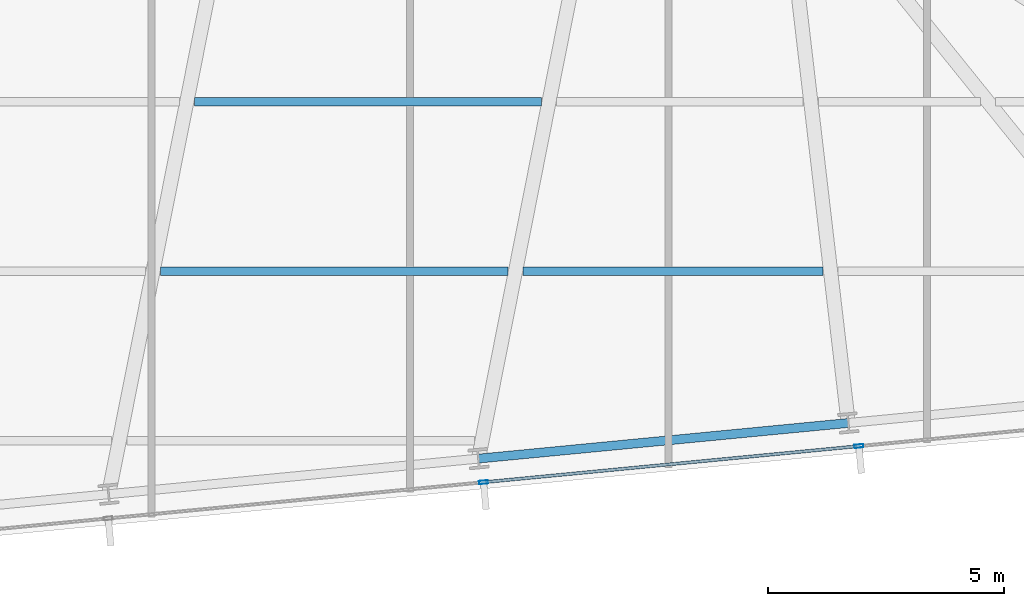
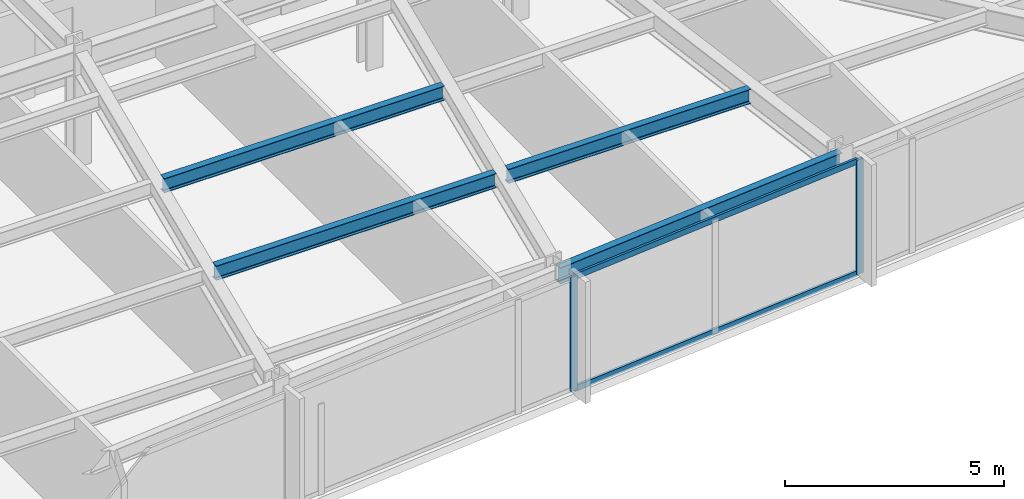
# One storey, part 10 of 32: 4 beams, 4 members, 1 element without a shape of its own.
"""IFC4 building model written with IfcOpenShell, lengths in metres."""

import ifcopenshell
import ifcopenshell.guid

model = None  # the IFC model being written
_history = None  # IfcOwnerHistory: only IFC2X3 demands one
_inside = {}  # id of a spatial element -> (the spatial element, [elements in it])
_under = {}  # id of a project, library or spatial element -> (it, [spatial elements below it])
_declared = {}  # id of a project -> (the project, [libraries it declares])
_typed = {}  # id of a type object -> (the type object, [elements of that type])
_made_of = {}  # id of a material, layer set ... -> (it, [elements and type objects made of it])


def new_model(schema):
    """Start an empty IFC model of exactly this schema.

    Asked for "IFC4X3", IfcOpenShell would pick the latest addendum, in which some entities
    have other attributes; the version numbers below select the first issue.
    IFC2X3 requires an IfcOwnerHistory on every rooted entity: one is made here for all.
    """
    global model, _history
    if schema == "IFC4X3":
        model = ifcopenshell.file(schema_version=(4, 3, 0, 0))
    else:
        model = ifcopenshell.file(schema=schema)
    _inside.clear()
    _under.clear()
    _declared.clear()
    _typed.clear()
    _made_of.clear()
    _history = None
    if model.schema == "IFC2X3":
        org = make("IfcOrganization", Name="unknown")
        user = make(
            "IfcPersonAndOrganization",
            ThePerson=make("IfcPerson", FamilyName="unknown"),
            TheOrganization=org,
        )
        app = make(
            "IfcApplication",
            ApplicationDeveloper=org,
            Version="unknown",
            ApplicationFullName="unknown",
            ApplicationIdentifier="unknown",
        )
        _history = make(
            "IfcOwnerHistory",
            OwningUser=user,
            OwningApplication=app,
            ChangeAction="ADDED",
            CreationDate=0,
        )
    return model


def make(cls, **values):
    """One entity of the class cls with the attributes given. An attribute that is None is left unset."""
    return model.create_entity(
        cls, **{name: value for name, value in values.items() if value is not None}
    )


def rooted(cls, **values):
    """An entity with a GlobalId (a new one), such as an element, a storey or a relation."""
    return make(cls, GlobalId=ifcopenshell.guid.new(), OwnerHistory=_history, **values)


def si_unit(unit_type, name, prefix=None):
    """IfcSIUnit, for example si_unit("LENGTHUNIT", "METRE", prefix="MILLI")."""
    return make("IfcSIUnit", UnitType=unit_type, Prefix=prefix, Name=name)


def assignment(units):
    """IfcUnitAssignment: the units of a project."""
    return None if units is None else make("IfcUnitAssignment", Units=units)


def point(xyz):
    """IfcCartesianPoint."""
    return None if xyz is None else make("IfcCartesianPoint", Coordinates=xyz)


def direction(xyz):
    """IfcDirection."""
    return None if xyz is None else make("IfcDirection", DirectionRatios=xyz)


def frame(location, z_axis=None, x_axis=None):
    """IfcAxis2Placement3D, a coordinate frame: its origin and axes. An axis left out is left unset."""
    return make(
        "IfcAxis2Placement3D",
        Location=point(location),
        Axis=direction(z_axis),
        RefDirection=direction(x_axis),
    )


def frame_2d(location, x_axis=None):
    """IfcAxis2Placement2D, a coordinate frame in the plane: its origin and x axis."""
    return make(
        "IfcAxis2Placement2D", Location=point(location), RefDirection=direction(x_axis)
    )


def origin():
    """The frame at (0, 0, 0) with its axes left unset."""
    return frame((0.0, 0.0, 0.0))


def origin_2d():
    """The frame at (0, 0) in the plane with its x axis left unset."""
    return frame_2d((0.0, 0.0))


def place(relative_to, where):
    """IfcLocalPlacement: puts the frame where relative to a parent placement (None: the world)."""
    return make(
        "IfcLocalPlacement", PlacementRelTo=relative_to, RelativePlacement=where
    )


def context(
    kind, dimensions, precision=None, world=None, true_north=None, identifier=None
):
    """IfcGeometricRepresentationContext, for example the 3D "Model" context."""
    return make(
        "IfcGeometricRepresentationContext",
        ContextIdentifier=identifier,
        ContextType=kind,
        CoordinateSpaceDimension=dimensions,
        Precision=precision,
        WorldCoordinateSystem=world,
        TrueNorth=true_north,
    )


def subcontext(parent, identifier, kind, view, scale=None):
    """IfcGeometricRepresentationSubContext, for example "Body" below "Model"."""
    return make(
        "IfcGeometricRepresentationSubContext",
        ContextIdentifier=identifier,
        ContextType=kind,
        ParentContext=parent,
        TargetScale=scale,
        TargetView=view,
    )


def project(units=None, contexts=None):
    """IfcProject with its units and contexts."""
    return rooted(
        "IfcProject",
        Name="project",
        RepresentationContexts=contexts,
        UnitsInContext=assignment(units),
    )


def spatial(cls, under=None, at=None, **own):
    """A site, building, storey or space (cls), placed at a placement, below another one or the project."""
    s = rooted(cls, ObjectPlacement=at, **own)
    if under is not None:
        _under.setdefault(under.id(), (under, []))[1].append(s)
    return s


def profile(cls, at=None, kind="AREA", **sizes):
    """A parametric profile (cls). Its sizes go by their IFC names, for example OverallWidth=200.0."""
    return make(cls, ProfileType=kind, Position=at, **sizes)


def hollow_rectangle(**sizes):
    """IfcRectangleHollowProfileDef."""
    return profile("IfcRectangleHollowProfileDef", **sizes)


def i_section(**sizes):
    """IfcIShapeProfileDef."""
    return profile("IfcIShapeProfileDef", **sizes)


def extrude(swept, where, along, depth):
    """IfcExtrudedAreaSolid: the profile swept, set in the frame where, extruded along a direction by depth."""
    return make(
        "IfcExtrudedAreaSolid",
        SweptArea=swept,
        Position=where,
        ExtrudedDirection=direction(along),
        Depth=depth,
    )


def shape(context_of_items, identifier, shape_type, items):
    """IfcShapeRepresentation: the items that make up one representation, for example the "Body"."""
    return make(
        "IfcShapeRepresentation",
        ContextOfItems=context_of_items,
        RepresentationIdentifier=identifier,
        RepresentationType=shape_type,
        Items=items,
    )


def material(Name=None, Category=None):
    """IfcMaterial."""
    return make("IfcMaterial", Name=Name, Category=Category)


def material_profile(
    of_material, cross_section, Name=None, Category=None, Priority=None
):
    """IfcMaterialProfile: a cross section and its material."""
    return make(
        "IfcMaterialProfile",
        Name=Name,
        Material=of_material,
        Profile=cross_section,
        Priority=Priority,
        Category=Category,
    )


def profile_set(profiles, Name=None, composite=None):
    """IfcMaterialProfileSet."""
    return make(
        "IfcMaterialProfileSet",
        Name=Name,
        MaterialProfiles=profiles,
        CompositeProfile=composite,
    )


def made_of(thing, what):
    """Note that an element or type object is made of a material, layer set ...; save() writes the relation."""
    if what is not None:
        _made_of.setdefault(what.id(), (what, []))[1].append(thing)
    return thing


def type_object(cls, material=None, **own):
    """A type object (cls), such as IfcWallType, which elements share."""
    return made_of(rooted(cls, **own), material)


def element(
    cls,
    number,
    at=None,
    inside=None,
    cuts=None,
    type_object=None,
    material=None,
    context=None,
    identifier="Body",
    shape_type=None,
    held_by="IfcProductDefinitionShape",
    body=None,
    shapes=None,
    **own,
):
    """One element of the class cls, such as IfcWall. Its Tag is "e" and its number.

    at: its placement. inside: the storey or other place that contains it. cuts: it is an
    opening in that element (IfcRelVoidsElement). A single representation is given by context,
    identifier, shape_type and body (its items); several are given by shapes. held_by: the class
    of the entity that holds the representations. save() writes the other relations.
    """
    e = rooted(cls, Tag="e%d" % number, ObjectPlacement=at, **own)
    if body is not None:
        shapes = [shape(context, identifier, shape_type, body)]
    if shapes is not None:
        e.Representation = make(held_by, Representations=shapes)
    if inside is not None:
        _inside.setdefault(inside.id(), (inside, []))[1].append(e)
    if cuts is not None:
        rooted(
            "IfcRelVoidsElement", RelatingBuildingElement=cuts, RelatedOpeningElement=e
        )
    if type_object is not None:
        _typed.setdefault(type_object.id(), (type_object, []))[1].append(e)
    return made_of(e, material)


def aggregate(whole, parts):
    """IfcRelAggregates: a whole, such as a stair, and the parts it consists of."""
    return rooted("IfcRelAggregates", RelatingObject=whole, RelatedObjects=parts)


def save(model, path):
    """Write the relations noted so far, then the file.

    IfcRelAggregates (storeys below a building ...), IfcRelContainedInSpatialStructure (elements
    in a storey), IfcRelDefinesByType, IfcRelAssociatesMaterial and IfcRelDeclares: one each for
    every whole, place, type object, material and project.
    """
    for whole, parts in _under.values():
        aggregate(whole, parts)
    for where, things in _inside.values():
        rooted(
            "IfcRelContainedInSpatialStructure",
            RelatedElements=things,
            RelatingStructure=where,
        )
    for kind, things in _typed.values():
        rooted("IfcRelDefinesByType", RelatedObjects=things, RelatingType=kind)
    for what, things in _made_of.values():
        rooted("IfcRelAssociatesMaterial", RelatedObjects=things, RelatingMaterial=what)
    for by, libraries in _declared.values():
        rooted("IfcRelDeclares", RelatingContext=by, RelatedDefinitions=libraries)
    model.write(path)


model = new_model("IFC4")

# Units and contexts
model_context = context("Model", 3, precision=1e-05, world=origin(), true_north=direction((0.0, 1.0)))
body_context = subcontext(model_context, "Body", "Model", "MODEL_VIEW")
ifc_project = project(units=[si_unit("LENGTHUNIT", "METRE"), si_unit("AREAUNIT", "SQUARE_METRE"), si_unit("VOLUMEUNIT", "CUBIC_METRE"), si_unit("PLANEANGLEUNIT", "RADIAN"), si_unit("MASSUNIT", "GRAM", prefix="KILO")], contexts=[model_context])

# Site, building, storey
site_placement = place(None, origin())
site = spatial("IfcSite", under=ifc_project, at=site_placement, CompositionType="ELEMENT")
building_placement = place(site_placement, origin())
building = spatial("IfcBuilding", under=site, at=building_placement, Name="Yelkora Congress Tower", CompositionType="ELEMENT")
storey_placement = place(building_placement, frame((0.0, 0.0, 130.5)))
storey = spatial("IfcBuildingStorey", under=building, at=storey_placement, Name="L35", CompositionType="ELEMENT", Elevation=130.5)

# Beams
ifc_material_1 = material(Name="Steel S355J2", Category="steel")
ifc_material_profile_1 = material_profile(ifc_material_1, i_section(OverallWidth=0.179931640625, OverallDepth=0.39990234375, WebThickness=0.008544921875, FlangeThickness=0.013427734375, FilletRadius=0.02099609375, at=origin_2d()), Name="IPE 400")
ifc_profile_set_1 = profile_set([ifc_material_profile_1], Name="Steel S355J2")
beam_type_1 = type_object("IfcBeamType", Name="BM-JOIST-IPE400", PredefinedType="JOIST", material=ifc_profile_set_1)
beam_1_placement = place(storey_placement, frame((44.436767578125, 16.144287109375, 2.97998046875), z_axis=(1.0, 0.0, 0.0), x_axis=(0.0, 1.0, 0.0)))
element("IfcBeam", 1, at=beam_1_placement, inside=storey, type_object=beam_type_1, Name="L35 Composite Floor Joist 7", PredefinedType="JOIST", context=body_context, shape_type="SweptSolid", body=[
    extrude(i_section(OverallWidth=0.179931640625, OverallDepth=0.39990234375, WebThickness=0.008544921875, FlangeThickness=0.013427734375, FilletRadius=0.02099609375, at=origin_2d()), origin(), (0.0, 0.0, 1.0), 7.373046875),
])
beam_2_placement = place(storey_placement, frame((52.1298828125, 16.144287109375, 2.97998046875), z_axis=(1.0, 0.0, 0.0), x_axis=(0.0, 1.0, 0.0)))
element("IfcBeam", 2, at=beam_2_placement, inside=storey, type_object=beam_type_1, Name="L35 Composite Floor Joist 8", PredefinedType="JOIST", context=body_context, shape_type="SweptSolid", body=[
    extrude(i_section(OverallWidth=0.179931640625, OverallDepth=0.39990234375, WebThickness=0.008544921875, FlangeThickness=0.013427734375, FilletRadius=0.02099609375, at=origin_2d()), origin(), (0.0, 0.0, 1.0), 6.3671875),
])
beam_3_placement = place(storey_placement, frame((45.153564453125, 19.744384765625, 2.97998046875), z_axis=(1.0, 0.0, 0.0), x_axis=(0.0, 1.0, 0.0)))
element("IfcBeam", 3, at=beam_3_placement, inside=storey, type_object=beam_type_1, Name="L35 Composite Floor Joist 14", PredefinedType="JOIST", context=body_context, shape_type="SweptSolid", body=[
    extrude(i_section(OverallWidth=0.179931640625, OverallDepth=0.39990234375, WebThickness=0.008544921875, FlangeThickness=0.013427734375, FilletRadius=0.02099609375, at=origin_2d()), origin(), (0.0, 0.0, 1.0), 7.367919921875),
])
ifc_material_profile_2 = material_profile(ifc_material_1, i_section(OverallWidth=0.18994140625, OverallDepth=0.449951171875, WebThickness=0.009521484375, FlangeThickness=0.0146484375, FilletRadius=0.02099609375, at=origin_2d()), Name="IPE 450")
ifc_profile_set_2 = profile_set([ifc_material_profile_2], Name="Steel S355J2")
beam_type_2 = type_object("IfcBeamType", Name="BM-SPAN-IPE450", PredefinedType="SPANDREL", material=ifc_profile_set_2)
beam_4_placement = place(storey_placement, frame((51.18359375, 12.16748046875, 2.955078125), z_axis=(0.995395860104, 0.095849265454, 0.0), x_axis=(-0.095849265454, 0.995395860104, 0.0)))
element("IfcBeam", 4, at=beam_4_placement, inside=storey, type_object=beam_type_2, Name="L35 Perimeter Beam 7", PredefinedType="SPANDREL", context=body_context, shape_type="SweptSolid", body=[
    extrude(i_section(OverallWidth=0.18994140625, OverallDepth=0.449951171875, WebThickness=0.009521484375, FlangeThickness=0.0146484375, FilletRadius=0.02099609375, at=origin_2d()), origin(), (0.0, 0.0, 1.0), 7.885986328125),
])

# Curtain wall, members
ifc_material_2 = material(Name="Anodised aluminium and insulated glass", Category="aluminium")
curtain_wall_type = type_object("IfcCurtainWallType", Name="CW-SYS-B2", PredefinedType="NOTDEFINED", material=ifc_material_2)
curtain_wall_placement = place(storey_placement, origin())
curtain_wall = element("IfcCurtainWall", 5, at=curtain_wall_placement, inside=storey, type_object=curtain_wall_type, Name="L35 Unitised Curtain Wall 20", PredefinedType="NOTDEFINED")
ifc_material_3 = material(Name="Anodised aluminium 6063-T6", Category="aluminium")
ifc_material_profile_3 = material_profile(ifc_material_3, hollow_rectangle(XDim=0.070068359375, YDim=0.18994140625, WallThickness=0.00390625, at=origin_2d()), Name="ALU 70x190x4")
ifc_profile_set_3 = profile_set([ifc_material_profile_3], Name="Anodised aluminium 6063-T6")
member_type_1 = type_object("IfcMemberType", Name="MEM-ML-B2", PredefinedType="MULLION", material=ifc_profile_set_3)
member_1_placement = place(storey_placement, frame((59.2568359375, 12.4326171875, 0.0), z_axis=(0.0, 0.0, 1.0), x_axis=(0.095844345816, -0.995396333816, 0.0)))
member_1 = element("IfcMember", 6, at=member_1_placement, type_object=member_type_1, Name="CW-B2 mullion 3", PredefinedType="MULLION", context=body_context, shape_type="SweptSolid", body=[
    extrude(hollow_rectangle(XDim=0.070068359375, YDim=0.18994140625, WallThickness=0.00390625, at=origin_2d()), origin(), (0.0, 0.0, 1.0), 3.179931640625),
])
member_2_placement = place(storey_placement, frame((51.290771484375, 11.66552734375, 0.0), z_axis=(0.0, 0.0, 1.0), x_axis=(0.095844345816, -0.995396333816, 0.0)))
member_2 = element("IfcMember", 7, at=member_2_placement, type_object=member_type_1, Name="CW-B2 mullion 4", PredefinedType="MULLION", context=body_context, shape_type="SweptSolid", body=[
    extrude(hollow_rectangle(XDim=0.070068359375, YDim=0.18994140625, WallThickness=0.00390625, at=origin_2d()), origin(), (0.0, 0.0, 1.0), 3.179931640625),
])
ifc_material_profile_4 = material_profile(ifc_material_3, hollow_rectangle(XDim=0.06494140625, YDim=0.159912109375, WallThickness=0.00390625, at=origin_2d()), Name="ALU 65x160x4")
ifc_profile_set_4 = profile_set([ifc_material_profile_4], Name="Anodised aluminium 6063-T6")
member_type_2 = type_object("IfcMemberType", Name="MEM-TR-B2", PredefinedType="USERDEFINED", material=ifc_profile_set_4)
member_3_placement = place(storey_placement, frame((59.221923828125, 12.42919921875, 0.032470703125), z_axis=(-0.995397010735, -0.095837315383, 0.0), x_axis=(0.095837315383, -0.995397010735, 0.0)))
member_3 = element("IfcMember", 8, at=member_3_placement, type_object=member_type_2, Name="CW-B2 transom 3.1", ObjectType="TRANSOM", PredefinedType="USERDEFINED", context=body_context, shape_type="SweptSolid", body=[
    extrude(hollow_rectangle(XDim=0.06494140625, YDim=0.159912109375, WallThickness=0.00390625, at=origin_2d()), origin(), (0.0, 0.0, 1.0), 7.932861328125),
])
member_4_placement = place(storey_placement, frame((59.221923828125, 12.42919921875, 3.1474609375), z_axis=(-0.995397010735, -0.095837315383, 0.0), x_axis=(0.095837315383, -0.995397010735, 0.0)))
member_4 = element("IfcMember", 9, at=member_4_placement, type_object=member_type_2, Name="CW-B2 transom 3.2", ObjectType="TRANSOM", PredefinedType="USERDEFINED", context=body_context, shape_type="SweptSolid", body=[
    extrude(hollow_rectangle(XDim=0.06494140625, YDim=0.159912109375, WallThickness=0.00390625, at=origin_2d()), origin(), (0.0, 0.0, 1.0), 7.932861328125),
])
aggregate(curtain_wall, [member_1, member_2, member_3, member_4])

save(model, "model.ifc")
